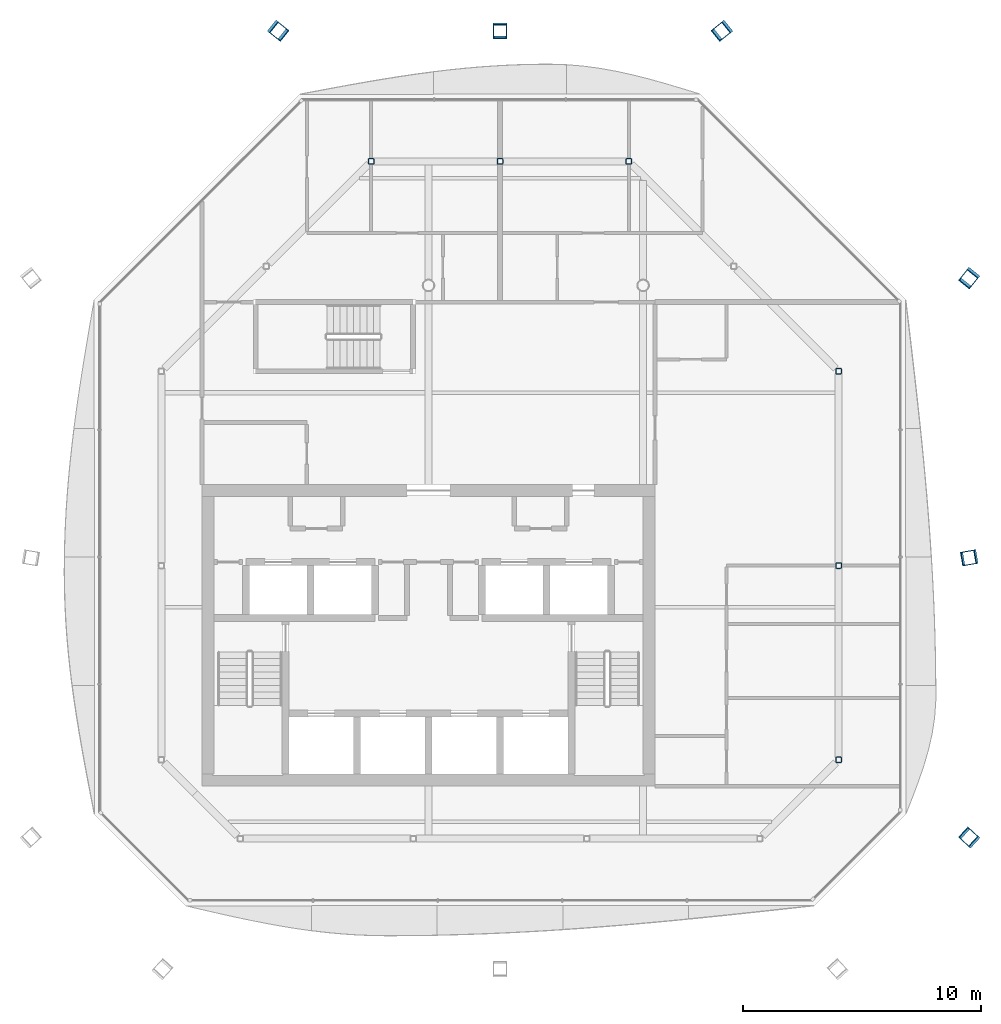
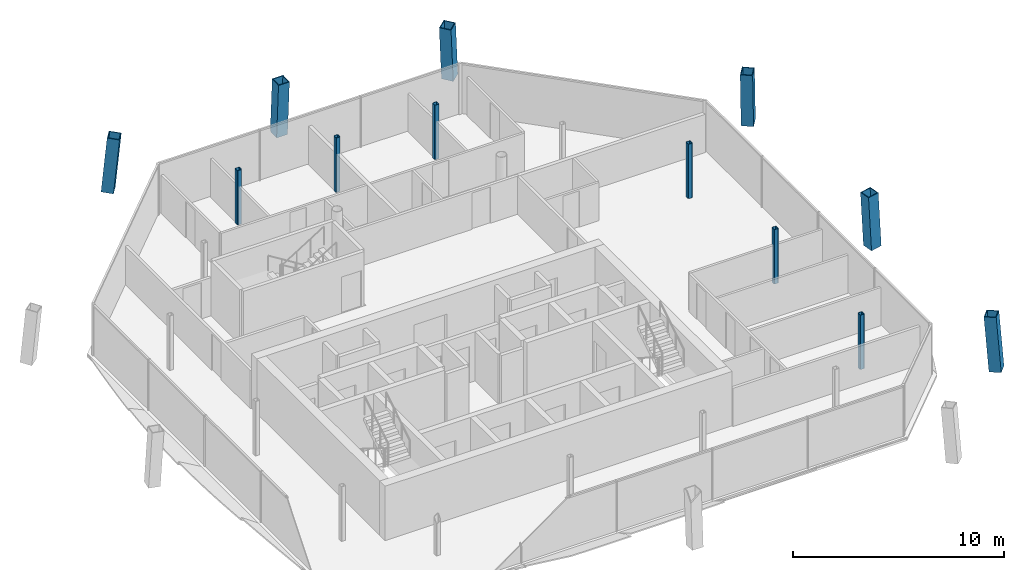
# One storey, part 2 of 16: 12 columns.
"""IFC4 building model written with IfcOpenShell, lengths in metres."""

from ifc_helpers import new_model, si_unit, direction, frame, origin, origin_2d, place, context, subcontext, project, spatial, hollow_rectangle, extrude, material, material_profile, profile_set, type_object, element, save


model = new_model("IFC4")

# Units and contexts
model_context = context("Model", 3, precision=1e-05, world=origin(), true_north=direction((0.0, 1.0)))
body_context = subcontext(model_context, "Body", "Model", "MODEL_VIEW")
ifc_project = project(units=[si_unit("LENGTHUNIT", "METRE"), si_unit("AREAUNIT", "SQUARE_METRE"), si_unit("VOLUMEUNIT", "CUBIC_METRE"), si_unit("PLANEANGLEUNIT", "RADIAN"), si_unit("MASSUNIT", "GRAM", prefix="KILO")], contexts=[model_context])

# Site, building, storey
site_placement = place(None, origin())
site = spatial("IfcSite", under=ifc_project, at=site_placement, CompositionType="ELEMENT")
building_placement = place(site_placement, origin())
building = spatial("IfcBuilding", under=site, at=building_placement, Name="Tskaro Facet Tower", CompositionType="ELEMENT")
storey_placement = place(building_placement, frame((0.0, 0.0, 262.64990234375)))
storey = spatial("IfcBuildingStorey", under=building, at=storey_placement, Name="L69", CompositionType="ELEMENT", Elevation=262.64990234375)

# Columns
ifc_material_1 = material(Name="Steel S355J2", Category="steel")
ifc_material_profile_1 = material_profile(ifc_material_1, hollow_rectangle(XDim=0.60009765625, YDim=0.60009765625, WallThickness=0.0400390625, at=origin_2d()), Name="BOX 600x600x40")
ifc_profile_set_1 = profile_set([ifc_material_profile_1], Name="Steel S355J2")
column_type_1 = type_object("IfcColumnType", Name="BOX 600x600x40 mega column", PredefinedType="COLUMN", material=ifc_profile_set_1)
column_1_placement = place(storey_placement, frame((22.7099609375, -14.18798828125, 0.0), z_axis=(-0.057562891374, 0.052540625684, 0.996958372345), x_axis=(-0.674151818399, -0.73859280104, 0.0)))
element("IfcColumn", 1, at=column_1_placement, inside=storey, type_object=column_type_1, Name="BOX 600x600x40 MC04/6", PredefinedType="COLUMN", context=body_context, shape_type="SweptSolid", body=[
    extrude(hollow_rectangle(XDim=0.60009765625, YDim=0.60009765625, WallThickness=0.0400390625, at=origin_2d()), origin(), (0.0, 0.0, 1.0), 3.15966796875),
])
column_2_placement = place(storey_placement, frame((22.7099609375, -2.4208984375, 0.0), z_axis=(-0.057639725257, -0.009825832359, 0.998289093946), x_axis=(0.168045586056, -0.985779225287, 0.0)))
element("IfcColumn", 2, at=column_2_placement, inside=storey, type_object=column_type_1, Name="BOX 600x600x40 MC05/6", PredefinedType="COLUMN", context=body_context, shape_type="SweptSolid", body=[
    extrude(hollow_rectangle(XDim=0.60009765625, YDim=0.60009765625, WallThickness=0.0400390625, at=origin_2d()), origin(), (0.0, 0.0, 1.0), 3.155517578125),
])
for number, where, z_axis, x_axis, name in (
    (3, (22.7099609375, 9.345947265625, 0.0), (-0.057493856374, -0.071770854266, 0.995762723221), (0.780459274208, -0.625206622887, 0.0), "BOX 600x600x40 MC06/6"),
    (4, (12.345947265625, 19.7099609375, 0.0), (-0.071770854266, -0.057493856374, 0.995762723221), (0.625206622887, -0.780459274208, 0.0), "BOX 600x600x40 MC07/6"),
):
    element("IfcColumn", number, at=place(storey_placement, frame(where, z_axis=z_axis, x_axis=x_axis)), inside=storey, type_object=column_type_1, Name=name, PredefinedType="COLUMN", context=body_context, shape_type="SweptSolid", body=[
        extrude(hollow_rectangle(XDim=0.60009765625, YDim=0.60009765625, WallThickness=0.0400390625, at=origin_2d()), origin(), (0.0, 0.0, 1.0), 3.16357421875),
    ])
column_3_placement = place(storey_placement, frame((3.0, 19.7099609375, 0.0), z_axis=(0.0, -0.057642507929, 0.998337288335), x_axis=(1.0, 0.0, 0.0)))
element("IfcColumn", 5, at=column_3_placement, inside=storey, type_object=column_type_1, Name="BOX 600x600x40 MC08/6", PredefinedType="COLUMN", context=body_context, shape_type="SweptSolid", body=[
    extrude(hollow_rectangle(XDim=0.60009765625, YDim=0.60009765625, WallThickness=0.0400390625, at=origin_2d()), origin(), (0.0, 0.0, 1.0), 3.1552734375),
])
column_4_placement = place(storey_placement, frame((-6.345947265625, 19.7099609375, 0.0), z_axis=(0.071770854266, -0.057493856374, 0.995762723221), x_axis=(0.625206622887, 0.780459274208, 0.0)))
element("IfcColumn", 6, at=column_4_placement, inside=storey, type_object=column_type_1, Name="BOX 600x600x40 MC09/6", PredefinedType="COLUMN", context=body_context, shape_type="SweptSolid", body=[
    extrude(hollow_rectangle(XDim=0.60009765625, YDim=0.60009765625, WallThickness=0.0400390625, at=origin_2d()), origin(), (0.0, 0.0, 1.0), 3.16357421875),
])
ifc_material_2 = material(Name="Steel S355J2H", Category="steel")
ifc_material_profile_2 = material_profile(ifc_material_2, hollow_rectangle(XDim=0.25, YDim=0.25, WallThickness=0.02001953125, InnerFilletRadius=0.030029296875, OuterFilletRadius=0.050048828125, at=origin_2d()), Name="SHS 250x250x20")
ifc_profile_set_2 = profile_set([ifc_material_profile_2], Name="Steel S355J2H")
column_type_2 = type_object("IfcColumnType", Name="SHS 250x250x20 ring column", PredefinedType="COLUMN", material=ifc_profile_set_2)
for number, where, z_axis, x_axis, name in (
    (7, (17.199951171875, -10.903076171875, 0.0), (0.0, 0.0, 1.0), (1.0, 0.0, 0.0), "SHS 250x250x20 RE-1/6"),
    (8, (17.199951171875, -2.75, 0.0), (0.0, 0.0, 1.0), (1.0, 0.0, 0.0), "SHS 250x250x20 RE-2/6"),
    (9, (17.199951171875, 5.403076171875, 0.0), (0.0, 0.0, 1.0), (1.0, 0.0, 0.0), "SHS 250x250x20 RNE-1/6"),
    (10, (8.403076171875, 14.199951171875, 0.0), (0.0, 0.0, 1.0), (1.0, 0.0, 0.0), "SHS 250x250x20 RN-1/6"),
    (11, (3.0, 14.199951171875, 0.0), (0.0, 0.0, 1.0), (1.0, 0.0, 0.0), "SHS 250x250x20 RN-2/6"),
    (12, (-2.403076171875, 14.199951171875, 0.0), (0.0, 0.0, 1.0), (1.0, 0.0, 0.0), "SHS 250x250x20 RNW-1/6"),
):
    element("IfcColumn", number, at=place(storey_placement, frame(where, z_axis=z_axis, x_axis=x_axis)), inside=storey, type_object=column_type_2, Name=name, PredefinedType="COLUMN", context=body_context, shape_type="SweptSolid", body=[
        extrude(hollow_rectangle(XDim=0.25, YDim=0.25, WallThickness=0.02001953125, InnerFilletRadius=0.030029296875, OuterFilletRadius=0.050048828125, at=origin_2d()), origin(), (0.0, 0.0, 1.0), 3.150146484375),
    ])

save(model, "model.ifc")
